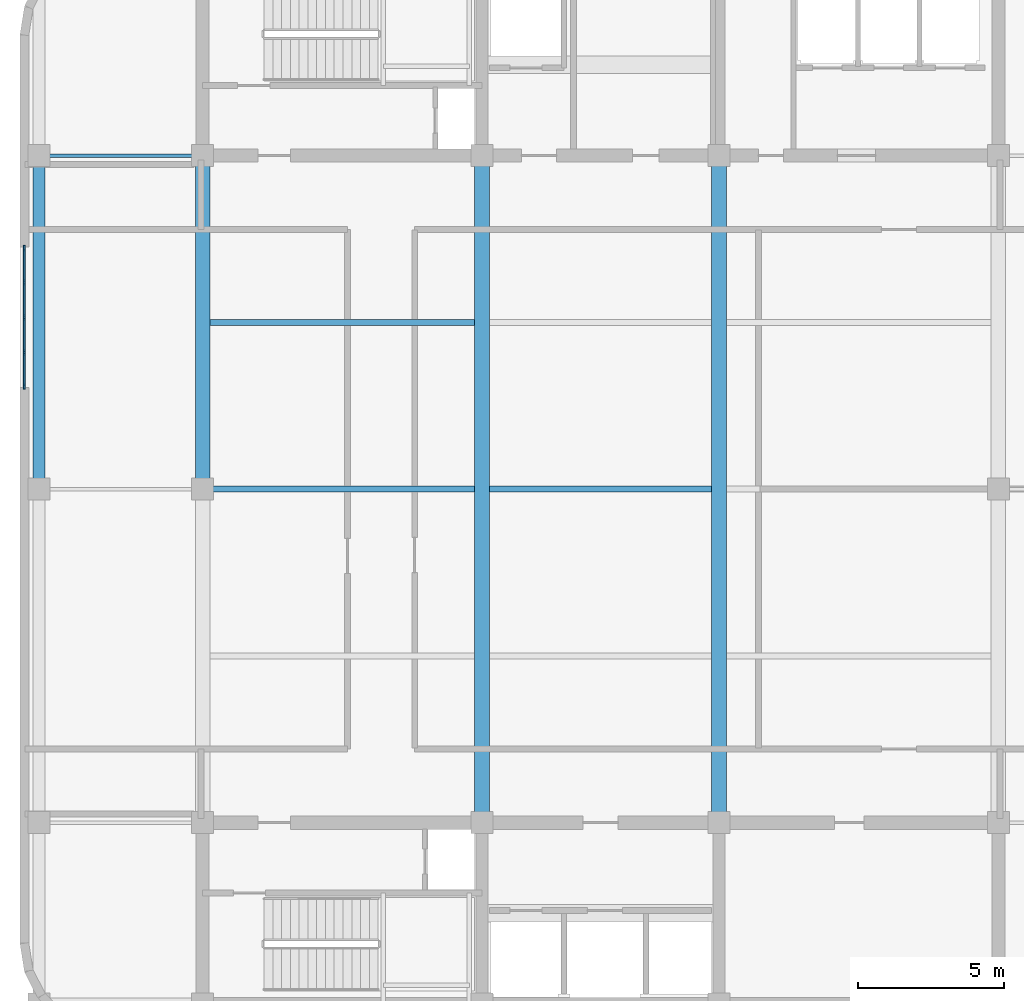
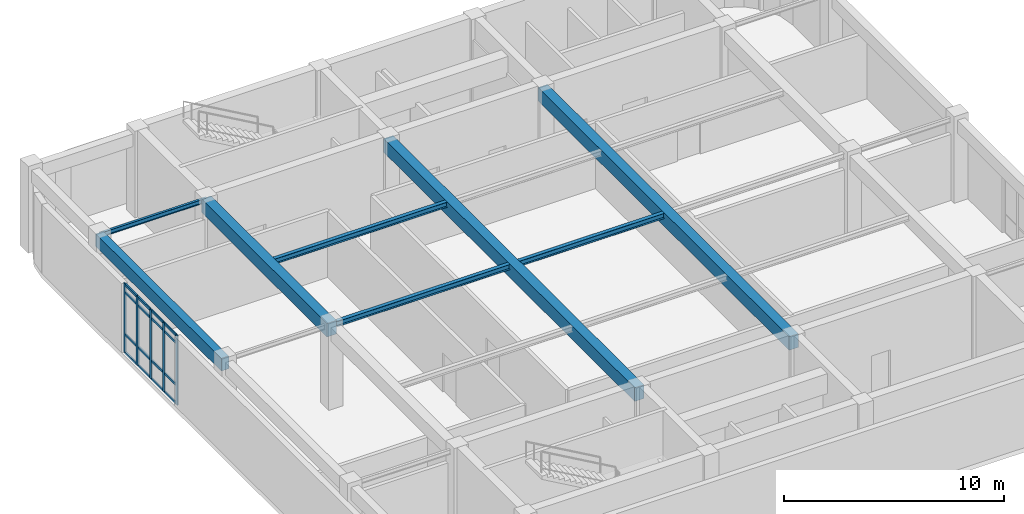
# One storey, part 2 of 7: 21 members, 8 beams, 1 element without a shape of its own.
"""IFC4 building model written with IfcOpenShell, lengths in metres."""

from ifc_helpers import new_model, si_unit, direction, frame, origin, origin_2d, place, context, subcontext, project, spatial, rectangle, i_section, extrude, material, material_profile, profile_set, type_object, element, aggregate, save


model = new_model("IFC4")

# Units and contexts
model_context = context("Model", 3, precision=1e-05, world=origin(), true_north=direction((0.0, 1.0)))
body_context = subcontext(model_context, "Body", "Model", "MODEL_VIEW")
ifc_project = project(units=[si_unit("LENGTHUNIT", "METRE"), si_unit("AREAUNIT", "SQUARE_METRE"), si_unit("VOLUMEUNIT", "CUBIC_METRE"), si_unit("PLANEANGLEUNIT", "RADIAN"), si_unit("MASSUNIT", "GRAM", prefix="KILO")], contexts=[model_context])

# Site, building, storey
site_placement = place(None, origin())
site = spatial("IfcSite", under=ifc_project, at=site_placement, CompositionType="ELEMENT")
building_placement = place(site_placement, origin())
building = spatial("IfcBuilding", under=site, at=building_placement, Name="Svetorya Sky Lyceum", CompositionType="ELEMENT")
storey_placement = place(building_placement, frame((0.0, 0.0, 255.39990234375)))
storey = spatial("IfcBuildingStorey", under=building, at=storey_placement, Name="L64", CompositionType="ELEMENT", Elevation=255.39990234375)

# Beams
ifc_material_1 = material(Name="Concrete C50/60", Category="concrete")
ifc_material_profile_1 = material_profile(ifc_material_1, rectangle(XDim=0.5, YDim=0.75, at=origin_2d()), Name="RC BEAM 500x750")
ifc_profile_set_1 = profile_set([ifc_material_profile_1], Name="Concrete C50/60")
beam_type_1 = type_object("IfcBeamType", Name="BM-RC-750", PredefinedType="BEAM", material=ifc_profile_set_1)
beam_1_placement = place(storey_placement, frame((25.60009765625, 28.199951171875, 4.175048828125), z_axis=(0.0, 1.0, 0.0), x_axis=(-1.0, 0.0, 0.0)))
element("IfcBeam", 1, at=beam_1_placement, inside=storey, type_object=beam_type_1, Name="L64 Central Bay Primary Girder CG-1B", PredefinedType="BEAM", context=body_context, shape_type="SweptSolid", body=[
    extrude(rectangle(XDim=0.5, YDim=0.75, at=origin_2d()), origin(), (0.0, 0.0, 1.0), 11.400146484375),
])
for number, where, z_axis, x_axis, name in (
    (2, (35.14990234375, 16.800048828125, 4.175048828125), (0.0, 1.0, 0.0), (-1.0, 0.0, 0.0), "L64 Central Bay Primary Girder CG-2"),
    (3, (43.25, 16.800048828125, 4.175048828125), (0.0, 1.0, 0.0), (-1.0, 0.0, 0.0), "L64 Central Bay Primary Girder CG-3"),
):
    element("IfcBeam", number, at=place(storey_placement, frame(where, z_axis=z_axis, x_axis=x_axis)), inside=storey, type_object=beam_type_1, Name=name, PredefinedType="BEAM", context=body_context, shape_type="SweptSolid", body=[
        extrude(rectangle(XDim=0.5, YDim=0.75, at=origin_2d()), origin(), (0.0, 0.0, 1.0), 22.800048828125),
    ])
ifc_material_profile_2 = material_profile(ifc_material_1, rectangle(XDim=0.39990234375, YDim=0.699951171875, at=origin_2d()), Name="RC SPANDREL 400x700")
ifc_profile_set_2 = profile_set([ifc_material_profile_2], Name="Concrete C50/60")
beam_type_2 = type_object("IfcBeamType", Name="BM-SPN-700", PredefinedType="SPANDREL", material=ifc_profile_set_2)
beam_2_placement = place(storey_placement, frame((20.010009765625, 28.199951171875, 4.2001953125), z_axis=(0.0, 1.0, 0.0), x_axis=(-1.0, 0.0, 0.0)))
element("IfcBeam", 4, at=beam_2_placement, inside=storey, type_object=beam_type_2, Name="L64 West Spandrel 3", PredefinedType="SPANDREL", context=body_context, shape_type="SweptSolid", body=[
    extrude(rectangle(XDim=0.39990234375, YDim=0.699951171875, at=origin_2d()), origin(), (0.0, 0.0, 1.0), 11.400146484375),
])
ifc_material_2 = material(Name="Steel S355", Category="steel")
ifc_material_profile_3 = material_profile(ifc_material_2, i_section(OverallWidth=0.1240234375, OverallDepth=0.248046875, WebThickness=0.006103515625, FlangeThickness=0.009521484375, at=origin_2d()), Name="GOST 25B2")
ifc_profile_set_3 = profile_set([ifc_material_profile_3], Name="Steel S355")
beam_type_3 = type_object("IfcBeamType", Name="BM-STL-25B2", PredefinedType="JOIST", material=ifc_profile_set_3)
beam_3_placement = place(storey_placement, frame((20.010009765625, 39.60009765625, 4.426025390625), z_axis=(1.0, 0.0, 0.0), x_axis=(0.0, 1.0, 0.0)))
element("IfcBeam", 5, at=beam_3_placement, inside=storey, type_object=beam_type_3, Name="L64 West Wing Floor Joist W4", PredefinedType="JOIST", context=body_context, shape_type="SweptSolid", body=[
    extrude(i_section(OverallWidth=0.1240234375, OverallDepth=0.248046875, WebThickness=0.006103515625, FlangeThickness=0.009521484375, at=origin_2d()), origin(), (0.0, 0.0, 1.0), 5.590087890625),
])
ifc_material_profile_4 = material_profile(ifc_material_2, i_section(OverallWidth=0.199951171875, OverallDepth=0.298095703125, WebThickness=0.008544921875, FlangeThickness=0.012939453125, at=origin_2d()), Name="GOST 30Sh2")
ifc_profile_set_4 = profile_set([ifc_material_profile_4], Name="Steel S355")
beam_type_4 = type_object("IfcBeamType", Name="BM-STL-30SH2", PredefinedType="BEAM", material=ifc_profile_set_4)
beam_4_placement = place(storey_placement, frame((25.85009765625, 28.199951171875, 4.401123046875), z_axis=(1.0, 0.0, 0.0), x_axis=(0.0, 1.0, 0.0)))
element("IfcBeam", 6, at=beam_4_placement, inside=storey, type_object=beam_type_4, Name="L64 Central Floor Joist CJ-2.1", PredefinedType="BEAM", context=body_context, shape_type="SweptSolid", body=[
    extrude(i_section(OverallWidth=0.199951171875, OverallDepth=0.298095703125, WebThickness=0.008544921875, FlangeThickness=0.012939453125, at=origin_2d()), origin(), (0.0, 0.0, 1.0), 9.0498046875),
])
beam_5_placement = place(storey_placement, frame((35.39990234375, 28.199951171875, 4.401123046875), z_axis=(1.0, 0.0, 0.0), x_axis=(0.0, 1.0, 0.0)))
element("IfcBeam", 7, at=beam_5_placement, inside=storey, type_object=beam_type_4, Name="L64 Central Floor Joist CJ-2.2", PredefinedType="BEAM", context=body_context, shape_type="SweptSolid", body=[
    extrude(i_section(OverallWidth=0.199951171875, OverallDepth=0.298095703125, WebThickness=0.008544921875, FlangeThickness=0.012939453125, at=origin_2d()), origin(), (0.0, 0.0, 1.0), 7.60009765625),
])
beam_6_placement = place(storey_placement, frame((25.85009765625, 33.89990234375, 4.401123046875), z_axis=(1.0, 0.0, 0.0), x_axis=(0.0, 1.0, 0.0)))
element("IfcBeam", 8, at=beam_6_placement, inside=storey, type_object=beam_type_4, Name="L64 Central Floor Joist CJ-3.1", PredefinedType="BEAM", context=body_context, shape_type="SweptSolid", body=[
    extrude(i_section(OverallWidth=0.199951171875, OverallDepth=0.298095703125, WebThickness=0.008544921875, FlangeThickness=0.012939453125, at=origin_2d()), origin(), (0.0, 0.0, 1.0), 9.0498046875),
])

# Curtain wall, members
ifc_material_3 = material(Name="Thermally broken anodized aluminium and triple low-E glass", Category="aluminium")
curtain_wall_type = type_object("IfcCurtainWallType", Name="CW5-LVR-PLT", PredefinedType="NOTDEFINED", material=ifc_material_3)
curtain_wall_placement = place(storey_placement, origin())
curtain_wall = element("IfcCurtainWall", 9, at=curtain_wall_placement, inside=storey, type_object=curtain_wall_type, Name="L64 Acoustic Plant Louvre Curtain Wall 24", PredefinedType="NOTDEFINED")
ifc_material_4 = material(Name="Thermally broken anodized aluminium EN AW-6060", Category="aluminium")
ifc_material_profile_5 = material_profile(ifc_material_4, rectangle(XDim=0.06494140625, YDim=0.179931640625, at=origin_2d()), Name="ALU MULLION 65x180")
ifc_profile_set_5 = profile_set([ifc_material_profile_5], Name="Thermally broken anodized aluminium EN AW-6060")
member_type_1 = type_object("IfcMemberType", Name="CWM-MUL-180", PredefinedType="MULLION", material=ifc_profile_set_5)
member_1_placement = place(storey_placement, frame((19.510009765625, 36.4375, 0.0), z_axis=(0.0, 0.0, 1.0), x_axis=(1.0, 0.0, 0.0)))
member_1 = element("IfcMember", 10, at=member_1_placement, type_object=member_type_1, Name="CW-5 mullion 1", PredefinedType="MULLION", context=body_context, shape_type="SweptSolid", body=[
    extrude(rectangle(XDim=0.06494140625, YDim=0.179931640625, at=origin_2d()), origin(), (0.0, 0.0, 1.0), 3.830078125),
])
member_2_placement = place(storey_placement, frame((19.510009765625, 35.27001953125, 0.0), z_axis=(0.0, 0.0, 1.0), x_axis=(1.0, 0.0, 0.0)))
member_2 = element("IfcMember", 11, at=member_2_placement, type_object=member_type_1, Name="CW-5 mullion 2", PredefinedType="MULLION", context=body_context, shape_type="SweptSolid", body=[
    extrude(rectangle(XDim=0.06494140625, YDim=0.179931640625, at=origin_2d()), origin(), (0.0, 0.0, 1.0), 3.830078125),
])
member_3_placement = place(storey_placement, frame((19.510009765625, 34.070068359375, 0.0), z_axis=(0.0, 0.0, 1.0), x_axis=(1.0, 0.0, 0.0)))
member_3 = element("IfcMember", 12, at=member_3_placement, type_object=member_type_1, Name="CW-5 mullion 3", PredefinedType="MULLION", context=body_context, shape_type="SweptSolid", body=[
    extrude(rectangle(XDim=0.06494140625, YDim=0.179931640625, at=origin_2d()), origin(), (0.0, 0.0, 1.0), 3.830078125),
])
member_4_placement = place(storey_placement, frame((19.510009765625, 32.8701171875, 0.0), z_axis=(0.0, 0.0, 1.0), x_axis=(1.0, 0.0, 0.0)))
member_4 = element("IfcMember", 13, at=member_4_placement, type_object=member_type_1, Name="CW-5 mullion 4", PredefinedType="MULLION", context=body_context, shape_type="SweptSolid", body=[
    extrude(rectangle(XDim=0.06494140625, YDim=0.179931640625, at=origin_2d()), origin(), (0.0, 0.0, 1.0), 3.830078125),
])
member_5_placement = place(storey_placement, frame((19.510009765625, 31.702392578125, 0.0), z_axis=(0.0, 0.0, 1.0), x_axis=(1.0, 0.0, 0.0)))
member_5 = element("IfcMember", 14, at=member_5_placement, type_object=member_type_1, Name="CW-5 mullion 5", PredefinedType="MULLION", context=body_context, shape_type="SweptSolid", body=[
    extrude(rectangle(XDim=0.06494140625, YDim=0.179931640625, at=origin_2d()), origin(), (0.0, 0.0, 1.0), 3.830078125),
])
ifc_material_profile_6 = material_profile(ifc_material_4, rectangle(XDim=0.06494140625, YDim=0.139892578125, at=origin_2d()), Name="ALU TRANSOM 65x140")
ifc_profile_set_6 = profile_set([ifc_material_profile_6], Name="Thermally broken anodized aluminium EN AW-6060")
member_type_2 = type_object("IfcMemberType", Name="CWM-TRN-140", PredefinedType="USERDEFINED", material=ifc_profile_set_6)
member_6_placement = place(storey_placement, frame((19.510009765625, 36.406494140625, 0.03271484375), z_axis=(0.0, -1.0, 0.0), x_axis=(1.0, 0.0, 0.0)))
member_6 = element("IfcMember", 15, at=member_6_placement, type_object=member_type_2, Name="CW-5 transom 1.1", ObjectType="TRANSOM", PredefinedType="USERDEFINED", context=body_context, shape_type="SweptSolid", body=[
    extrude(rectangle(XDim=0.06494140625, YDim=0.139892578125, at=origin_2d()), origin(), (0.0, 0.0, 1.0), 1.10546875),
])
member_7_placement = place(storey_placement, frame((19.510009765625, 36.406494140625, 1.050048828125), z_axis=(0.0, -1.0, 0.0), x_axis=(1.0, 0.0, 0.0)))
member_7 = element("IfcMember", 16, at=member_7_placement, type_object=member_type_2, Name="CW-5 transom 1.2", ObjectType="TRANSOM", PredefinedType="USERDEFINED", context=body_context, shape_type="SweptSolid", body=[
    extrude(rectangle(XDim=0.06494140625, YDim=0.139892578125, at=origin_2d()), origin(), (0.0, 0.0, 1.0), 1.10546875),
])
member_8_placement = place(storey_placement, frame((19.510009765625, 36.406494140625, 3.380126953125), z_axis=(0.0, -1.0, 0.0), x_axis=(1.0, 0.0, 0.0)))
member_8 = element("IfcMember", 17, at=member_8_placement, type_object=member_type_2, Name="CW-5 transom 1.3", ObjectType="TRANSOM", PredefinedType="USERDEFINED", context=body_context, shape_type="SweptSolid", body=[
    extrude(rectangle(XDim=0.06494140625, YDim=0.139892578125, at=origin_2d()), origin(), (0.0, 0.0, 1.0), 1.10546875),
])
member_9_placement = place(storey_placement, frame((19.510009765625, 36.406494140625, 3.797607421875), z_axis=(0.0, -1.0, 0.0), x_axis=(1.0, 0.0, 0.0)))
member_9 = element("IfcMember", 18, at=member_9_placement, type_object=member_type_2, Name="CW-5 transom 1.4", ObjectType="TRANSOM", PredefinedType="USERDEFINED", context=body_context, shape_type="SweptSolid", body=[
    extrude(rectangle(XDim=0.06494140625, YDim=0.139892578125, at=origin_2d()), origin(), (0.0, 0.0, 1.0), 1.10546875),
])
member_10_placement = place(storey_placement, frame((19.510009765625, 35.239013671875, 0.03271484375), z_axis=(0.0, -1.0, 0.0), x_axis=(1.0, 0.0, 0.0)))
member_10 = element("IfcMember", 19, at=member_10_placement, type_object=member_type_2, Name="CW-5 transom 2.1", ObjectType="TRANSOM", PredefinedType="USERDEFINED", context=body_context, shape_type="SweptSolid", body=[
    extrude(rectangle(XDim=0.06494140625, YDim=0.139892578125, at=origin_2d()), origin(), (0.0, 0.0, 1.0), 1.137939453125),
])
member_11_placement = place(storey_placement, frame((19.510009765625, 35.239013671875, 1.050048828125), z_axis=(0.0, -1.0, 0.0), x_axis=(1.0, 0.0, 0.0)))
member_11 = element("IfcMember", 20, at=member_11_placement, type_object=member_type_2, Name="CW-5 transom 2.2", ObjectType="TRANSOM", PredefinedType="USERDEFINED", context=body_context, shape_type="SweptSolid", body=[
    extrude(rectangle(XDim=0.06494140625, YDim=0.139892578125, at=origin_2d()), origin(), (0.0, 0.0, 1.0), 1.137939453125),
])
member_12_placement = place(storey_placement, frame((19.510009765625, 35.239013671875, 3.380126953125), z_axis=(0.0, -1.0, 0.0), x_axis=(1.0, 0.0, 0.0)))
member_12 = element("IfcMember", 21, at=member_12_placement, type_object=member_type_2, Name="CW-5 transom 2.3", ObjectType="TRANSOM", PredefinedType="USERDEFINED", context=body_context, shape_type="SweptSolid", body=[
    extrude(rectangle(XDim=0.06494140625, YDim=0.139892578125, at=origin_2d()), origin(), (0.0, 0.0, 1.0), 1.137939453125),
])
member_13_placement = place(storey_placement, frame((19.510009765625, 35.239013671875, 3.797607421875), z_axis=(0.0, -1.0, 0.0), x_axis=(1.0, 0.0, 0.0)))
member_13 = element("IfcMember", 22, at=member_13_placement, type_object=member_type_2, Name="CW-5 transom 2.4", ObjectType="TRANSOM", PredefinedType="USERDEFINED", context=body_context, shape_type="SweptSolid", body=[
    extrude(rectangle(XDim=0.06494140625, YDim=0.139892578125, at=origin_2d()), origin(), (0.0, 0.0, 1.0), 1.137939453125),
])
member_14_placement = place(storey_placement, frame((19.510009765625, 34.0390625, 0.03271484375), z_axis=(0.0, -1.0, 0.0), x_axis=(1.0, 0.0, 0.0)))
member_14 = element("IfcMember", 23, at=member_14_placement, type_object=member_type_2, Name="CW-5 transom 3.1", ObjectType="TRANSOM", PredefinedType="USERDEFINED", context=body_context, shape_type="SweptSolid", body=[
    extrude(rectangle(XDim=0.06494140625, YDim=0.139892578125, at=origin_2d()), origin(), (0.0, 0.0, 1.0), 1.13818359375),
])
member_15_placement = place(storey_placement, frame((19.510009765625, 34.0390625, 1.050048828125), z_axis=(0.0, -1.0, 0.0), x_axis=(1.0, 0.0, 0.0)))
member_15 = element("IfcMember", 24, at=member_15_placement, type_object=member_type_2, Name="CW-5 transom 3.2", ObjectType="TRANSOM", PredefinedType="USERDEFINED", context=body_context, shape_type="SweptSolid", body=[
    extrude(rectangle(XDim=0.06494140625, YDim=0.139892578125, at=origin_2d()), origin(), (0.0, 0.0, 1.0), 1.13818359375),
])
member_16_placement = place(storey_placement, frame((19.510009765625, 34.0390625, 3.380126953125), z_axis=(0.0, -1.0, 0.0), x_axis=(1.0, 0.0, 0.0)))
member_16 = element("IfcMember", 25, at=member_16_placement, type_object=member_type_2, Name="CW-5 transom 3.3", ObjectType="TRANSOM", PredefinedType="USERDEFINED", context=body_context, shape_type="SweptSolid", body=[
    extrude(rectangle(XDim=0.06494140625, YDim=0.139892578125, at=origin_2d()), origin(), (0.0, 0.0, 1.0), 1.13818359375),
])
member_17_placement = place(storey_placement, frame((19.510009765625, 34.0390625, 3.797607421875), z_axis=(0.0, -1.0, 0.0), x_axis=(1.0, 0.0, 0.0)))
member_17 = element("IfcMember", 26, at=member_17_placement, type_object=member_type_2, Name="CW-5 transom 3.4", ObjectType="TRANSOM", PredefinedType="USERDEFINED", context=body_context, shape_type="SweptSolid", body=[
    extrude(rectangle(XDim=0.06494140625, YDim=0.139892578125, at=origin_2d()), origin(), (0.0, 0.0, 1.0), 1.13818359375),
])
member_18_placement = place(storey_placement, frame((19.510009765625, 32.839111328125, 0.03271484375), z_axis=(0.0, -1.0, 0.0), x_axis=(1.0, 0.0, 0.0)))
member_18 = element("IfcMember", 27, at=member_18_placement, type_object=member_type_2, Name="CW-5 transom 4.1", ObjectType="TRANSOM", PredefinedType="USERDEFINED", context=body_context, shape_type="SweptSolid", body=[
    extrude(rectangle(XDim=0.06494140625, YDim=0.139892578125, at=origin_2d()), origin(), (0.0, 0.0, 1.0), 1.105712890625),
])
member_19_placement = place(storey_placement, frame((19.510009765625, 32.839111328125, 1.050048828125), z_axis=(0.0, -1.0, 0.0), x_axis=(1.0, 0.0, 0.0)))
member_19 = element("IfcMember", 28, at=member_19_placement, type_object=member_type_2, Name="CW-5 transom 4.2", ObjectType="TRANSOM", PredefinedType="USERDEFINED", context=body_context, shape_type="SweptSolid", body=[
    extrude(rectangle(XDim=0.06494140625, YDim=0.139892578125, at=origin_2d()), origin(), (0.0, 0.0, 1.0), 1.105712890625),
])
member_20_placement = place(storey_placement, frame((19.510009765625, 32.839111328125, 3.380126953125), z_axis=(0.0, -1.0, 0.0), x_axis=(1.0, 0.0, 0.0)))
member_20 = element("IfcMember", 29, at=member_20_placement, type_object=member_type_2, Name="CW-5 transom 4.3", ObjectType="TRANSOM", PredefinedType="USERDEFINED", context=body_context, shape_type="SweptSolid", body=[
    extrude(rectangle(XDim=0.06494140625, YDim=0.139892578125, at=origin_2d()), origin(), (0.0, 0.0, 1.0), 1.105712890625),
])
member_21_placement = place(storey_placement, frame((19.510009765625, 32.839111328125, 3.797607421875), z_axis=(0.0, -1.0, 0.0), x_axis=(1.0, 0.0, 0.0)))
member_21 = element("IfcMember", 30, at=member_21_placement, type_object=member_type_2, Name="CW-5 transom 4.4", ObjectType="TRANSOM", PredefinedType="USERDEFINED", context=body_context, shape_type="SweptSolid", body=[
    extrude(rectangle(XDim=0.06494140625, YDim=0.139892578125, at=origin_2d()), origin(), (0.0, 0.0, 1.0), 1.105712890625),
])
aggregate(curtain_wall, [member_1, member_2, member_3, member_4, member_5, member_6, member_7, member_8, member_9, member_10, member_11, member_12, member_13, member_14, member_15, member_16, member_17, member_18, member_19, member_20, member_21])

save(model, "model.ifc")
